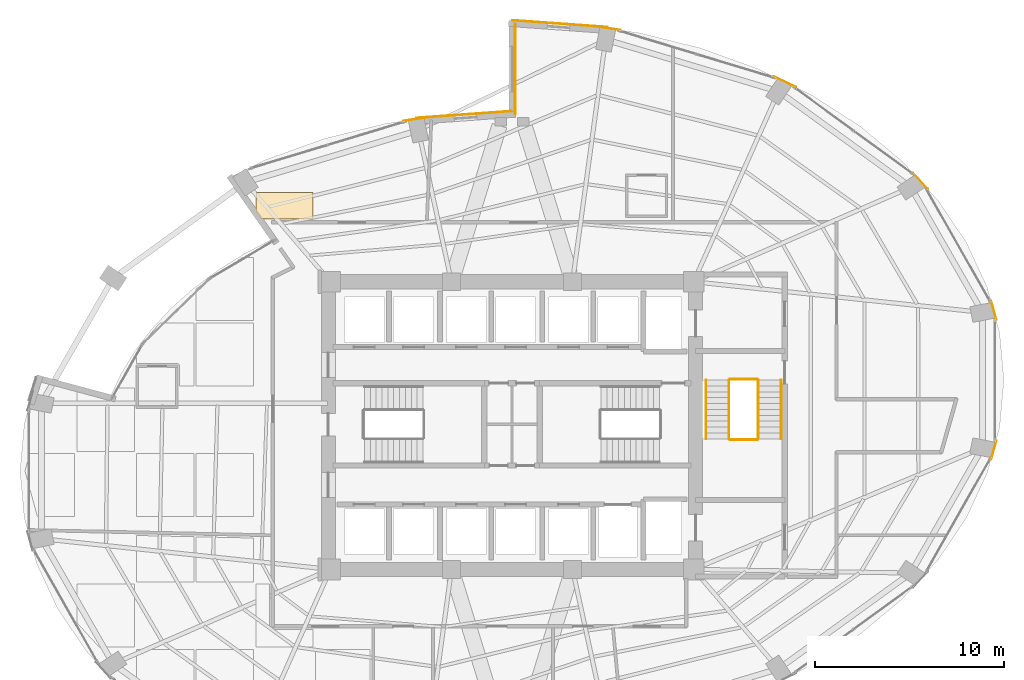
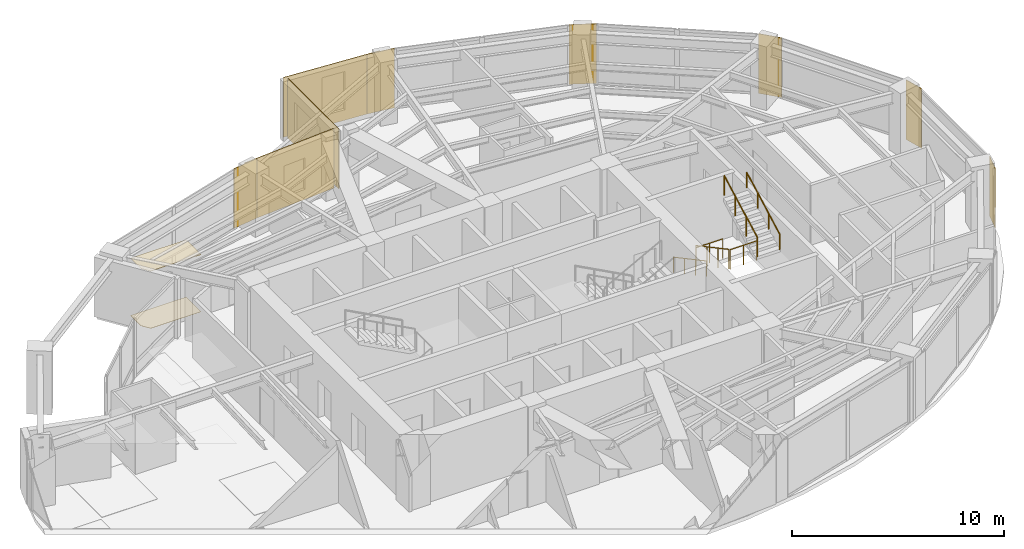
# One storey, part 24 of 24: 11 coverings, 6 railings.
"""IFC4 building model written with IfcOpenShell, lengths in metres."""

from ifc_helpers import new_model, si_unit, direction, frame, origin, origin_2d, place, context, subcontext, project, spatial, polyline, rectangle, circle, outline, extrude, material, layer, layer_set, type_object, element, save


model = new_model("IFC4")

# Units and contexts
model_context = context("Model", 3, precision=1e-05, world=origin(), true_north=direction((0.0, 1.0)))
body_context = subcontext(model_context, "Body", "Model", "MODEL_VIEW")
ifc_project = project(units=[si_unit("LENGTHUNIT", "METRE"), si_unit("AREAUNIT", "SQUARE_METRE"), si_unit("VOLUMEUNIT", "CUBIC_METRE"), si_unit("PLANEANGLEUNIT", "RADIAN"), si_unit("MASSUNIT", "GRAM", prefix="KILO")], contexts=[model_context])

# Site, building, storey
site_placement = place(None, origin())
site = spatial("IfcSite", under=ifc_project, at=site_placement, CompositionType="ELEMENT")
building_placement = place(site_placement, origin())
building = spatial("IfcBuilding", under=site, at=building_placement, Name="Lazwardi Medical Tower", CompositionType="ELEMENT")
storey_placement = place(building_placement, frame((0.0, 0.0, 114.575927734375)))
storey = spatial("IfcBuildingStorey", under=building, at=storey_placement, Name="L29", CompositionType="ELEMENT", Elevation=114.575927734375)

# Coverings
ifc_material_1 = material(Name="Anodised bronze aluminium cassette cladding", Category="aluminium")
ifc_layer_1 = layer(ifc_material_1, 0.030029296875)
ifc_layer_set_1 = layer_set([ifc_layer_1], Name="Anodised bronze aluminium cassette cladding")
covering_type_1 = type_object("IfcCoveringType", Name="COV-CLD-BRZ", PredefinedType="CLADDING", material=ifc_layer_set_1)
for number, where, z_axis, x_axis, name in (
    (1, (61.459716796875, 26.700927734375, 0.0), (0.0, 0.0, 1.0), (0.262696108164, 0.964878621774, 0.0), "L29 Mega-column bronze cassette cover M04"),
    (2, (61.459716796875, 34.09912109375, 0.0), (0.0, 0.0, 1.0), (-0.262696108164, 0.964878621774, 0.0), "L29 Mega-column bronze cassette cover M05"),
):
    element("IfcCovering", number, at=place(storey_placement, frame(where, z_axis=z_axis, x_axis=x_axis)), inside=storey, type_object=covering_type_1, Name=name, PredefinedType="CLADDING", context=body_context, shape_type="SweptSolid", body=[
        extrude(rectangle(XDim=1.04296875, YDim=0.030029296875, at=origin_2d()), origin(), (0.0, 0.0, 1.0), 3.427978515625),
    ])
covering_1_placement = place(storey_placement, frame((57.583740234375, 40.93408203125, 0.0), z_axis=(0.0, 0.0, 1.0), x_axis=(-0.674925949214, 0.737885467453, 0.0)))
element("IfcCovering", 3, at=covering_1_placement, inside=storey, type_object=covering_type_1, Name="L29 Mega-column bronze cassette cover M06", PredefinedType="CLADDING", context=body_context, shape_type="SweptSolid", body=[
    extrude(rectangle(XDim=1.15625, YDim=0.030029296875, at=origin_2d()), origin(), (0.0, 0.0, 1.0), 3.427978515625),
])
covering_2_placement = place(storey_placement, frame((50.421875, 46.16552734375, 0.0), z_axis=(0.0, 0.0, 1.0), x_axis=(-0.898679250201, 0.438606435495, 0.0)))
element("IfcCovering", 4, at=covering_2_placement, inside=storey, type_object=covering_type_1, Name="L29 Mega-column bronze cassette cover M07", PredefinedType="CLADDING", context=body_context, shape_type="SweptSolid", body=[
    extrude(rectangle(XDim=1.2998046875, YDim=0.030029296875, at=origin_2d()), origin(), (0.0, 0.0, 1.0), 3.427978515625),
])
for number, where, z_axis, x_axis, name in (
    (5, (41.064208984375, 48.99658203125, 0.0), (0.0, 0.0, 1.0), (-0.989609019093, 0.143784523955, 0.0), "L29 Mega-column bronze cassette cover M08"),
    (6, (30.935791015625, 44.19677734375, 0.0), (0.0, 0.0, 1.0), (-0.989609019093, -0.143784523955, 0.0), "L29 Mega-column bronze cassette cover M09"),
):
    element("IfcCovering", number, at=place(storey_placement, frame(where, z_axis=z_axis, x_axis=x_axis)), inside=storey, type_object=covering_type_1, Name=name, PredefinedType="CLADDING", context=body_context, shape_type="SweptSolid", body=[
        extrude(rectangle(XDim=1.392333984375, YDim=0.030029296875, at=origin_2d()), origin(), (0.0, 0.0, 1.0), 3.427978515625),
    ])
ifc_material_2 = material(Name="Turquoise glazed ceramic tilework cladding", Category="masonry")
ifc_layer_2 = layer(ifc_material_2, 0.034912109375)
ifc_layer_set_2 = layer_set([ifc_layer_2], Name="Turquoise glazed ceramic tilework cladding")
covering_type_2 = type_object("IfcCoveringType", Name="COV-CLD-TRQ", PredefinedType="CLADDING", material=ifc_layer_set_2)
covering_3_placement = place(storey_placement, frame((38.533203125, 49.23388671875, 0.0), z_axis=(0.0, 0.0, 1.0), x_axis=(-0.997431665415, 0.07162452672, 0.0)))
element("IfcCovering", 7, at=covering_3_placement, inside=storey, type_object=covering_type_2, Name="L29 Turquoise glazed ceramic tilework cladding", PredefinedType="CLADDING", context=body_context, shape_type="SweptSolid", body=[
    extrude(rectangle(XDim=5.05419921875, YDim=0.034912109375, at=origin_2d()), origin(), (0.0, 0.0, 1.0), 3.427978515625),
])
covering_4_placement = place(storey_placement, frame((33.466552734375, 44.43408203125, 0.0), z_axis=(0.0, 0.0, 1.0), x_axis=(-0.997431165357, -0.071631490105, 0.0)))
element("IfcCovering", 8, at=covering_4_placement, inside=storey, type_object=covering_type_2, Name="L29 Turquoise glazed ceramic tilework cladding", PredefinedType="CLADDING", context=body_context, shape_type="SweptSolid", body=[
    extrude(rectangle(XDim=5.0537109375, YDim=0.034912109375, at=origin_2d()), origin(), (0.0, 0.0, 1.0), 3.427978515625),
])
covering_5_placement = place(storey_placement, frame((36.175537109375, 46.840087890625, 0.0), z_axis=(0.0, 0.0, 1.0), x_axis=(0.0, -1.0, 0.0)))
element("IfcCovering", 9, at=covering_5_placement, inside=storey, type_object=covering_type_2, Name="L29 Turquoise glazed ceramic tilework iwan panel", PredefinedType="CLADDING", context=body_context, shape_type="SweptSolid", body=[
    extrude(rectangle(XDim=4.800048828125, YDim=0.034912109375, at=origin_2d()), origin(), (0.0, 0.0, 1.0), 3.427978515625),
])
ifc_material_3 = material(Name="Acoustic mineral fibre tile")
ifc_layer_3 = layer(ifc_material_3, 0.02490234375)
ifc_layer_set_3 = layer_set([ifc_layer_3], Name="Acoustic mineral fibre tile")
covering_type_3 = type_object("IfcCoveringType", Name="COV-CLG-01", PredefinedType="CEILING", material=ifc_layer_set_3)
covering_6_placement = place(storey_placement, frame((0.0, 0.0, 3.282958984375)))
element("IfcCovering", 10, at=covering_6_placement, inside=storey, type_object=covering_type_3, Name="L29 Clinical Acoustic Ceiling 9", PredefinedType="CEILING", context=body_context, shape_type="SweptSolid", body=[
    extrude(outline(polyline([(22.462890625, 39.33837890625), (22.753662109375, 38.92333984375), (22.755859375, 38.923583984375), (22.763671875, 38.92431640625), (22.77294921875, 38.9248046875), (22.777099609375, 38.925048828125), (25.492919921875, 38.925048828125), (25.492919921875, 40.322509765625), (22.462890625, 40.322509765625), (22.462890625, 39.33837890625)])), origin(), (0.0, 0.0, 1.0), 0.025146484375),
])
ifc_material_4 = material(Name="Anti-static hospital vinyl sheet flooring")
ifc_layer_4 = layer(ifc_material_4, 0.014892578125)
ifc_layer_set_4 = layer_set([ifc_layer_4], Name="Anti-static hospital vinyl sheet flooring")
covering_type_4 = type_object("IfcCoveringType", Name="COV-FLR-01", PredefinedType="FLOORING", material=ifc_layer_set_4)
covering_7_placement = place(storey_placement, origin())
element("IfcCovering", 11, at=covering_7_placement, inside=storey, type_object=covering_type_4, Name="L29 Clinical Vinyl Flooring 10", PredefinedType="FLOORING", context=body_context, shape_type="SweptSolid", body=[
    extrude(outline(polyline([(22.462890625, 39.33837890625), (22.753662109375, 38.92333984375), (22.755859375, 38.923583984375), (22.763671875, 38.92431640625), (22.77294921875, 38.9248046875), (22.777099609375, 38.925048828125), (25.492919921875, 38.925048828125), (25.492919921875, 40.322509765625), (22.462890625, 40.322509765625), (22.462890625, 39.33837890625)])), origin(), (0.0, 0.0, 1.0), 0.01513671875),
])

# Railings
ifc_material_5 = material(Name="Stainless steel Grade 316", Category="steel")
railing_type_1 = type_object("IfcRailingType", Name="RLG-GRD-1150", PredefinedType="GUARDRAIL", material=ifc_material_5)
railing_1_placement = place(storey_placement, frame((47.469970703125, 30.39990234375, 0.165771484375)))
element("IfcRailing", 12, at=railing_1_placement, inside=storey, type_object=railing_type_1, Name="L29 ST3 stair guard 1", PredefinedType="GUARDRAIL", context=body_context, shape_type="SweptSolid", body=[
    extrude(circle(Radius=0.02392578125, at=origin_2d()), frame((0.0, 0.0, 1.1259765625), z_axis=(0.0, -0.881767849116, 0.471683644262), x_axis=(1.0, 0.0, 0.0)), (0.0, 0.0, 1.0), 3.515380859375),
    extrude(circle(Radius=0.02099609375, at=origin_2d()), origin(), (0.0, 0.0, 1.0), 1.099853515625),
    extrude(circle(Radius=0.02099609375, at=origin_2d()), frame((0.0, -1.033203125, 0.552734375)), (0.0, 0.0, 1.0), 1.099853515625),
    extrude(circle(Radius=0.02099609375, at=origin_2d()), frame((0.0, -2.066650390625, 1.10546875)), (0.0, 0.0, 1.0), 1.099853515625),
    extrude(circle(Radius=0.02099609375, at=origin_2d()), frame((0.0, -3.099853515625, 1.658203125)), (0.0, 0.0, 1.0), 1.099853515625),
])
railing_2_placement = place(storey_placement, frame((47.52001953125, 27.25, 1.823974609375)))
element("IfcRailing", 13, at=railing_2_placement, inside=storey, type_object=railing_type_1, Name="L29 ST3 stair guard 2", PredefinedType="GUARDRAIL", context=body_context, shape_type="SweptSolid", body=[
    extrude(circle(Radius=0.02392578125, at=origin_2d()), frame((0.0, 0.0, 1.1259765625), z_axis=(1.0, 0.0, 0.0), x_axis=(0.0, 1.0, 0.0)), (0.0, 0.0, 1.0), 1.43994140625),
    extrude(circle(Radius=0.02099609375, at=origin_2d()), origin(), (0.0, 0.0, 1.0), 1.099853515625),
    extrude(circle(Radius=0.02099609375, at=origin_2d()), frame((0.719970703125, 0.0, 0.0)), (0.0, 0.0, 1.0), 1.099853515625),
    extrude(circle(Radius=0.02099609375, at=origin_2d()), frame((1.43994140625, 0.0, 0.0)), (0.0, 0.0, 1.0), 1.099853515625),
])
railing_3_placement = place(storey_placement, frame((49.010009765625, 27.300048828125, 1.989990234375)))
element("IfcRailing", 14, at=railing_3_placement, inside=storey, type_object=railing_type_1, Name="L29 ST3 stair guard 3", PredefinedType="GUARDRAIL", context=body_context, shape_type="SweptSolid", body=[
    extrude(circle(Radius=0.02392578125, at=origin_2d()), frame((0.0, 0.0, 1.1259765625), z_axis=(0.0, 0.881767849116, 0.471683644262), x_axis=(-1.0, 0.0, 0.0)), (0.0, 0.0, 1.0), 3.515380859375),
    extrude(circle(Radius=0.02099609375, at=origin_2d()), origin(), (0.0, 0.0, 1.0), 1.099853515625),
    extrude(circle(Radius=0.02099609375, at=origin_2d()), frame((0.0, 1.033203125, 0.552734375)), (0.0, 0.0, 1.0), 1.099853515625),
    extrude(circle(Radius=0.02099609375, at=origin_2d()), frame((0.0, 2.066650390625, 1.10546875)), (0.0, 0.0, 1.0), 1.099853515625),
    extrude(circle(Radius=0.02099609375, at=origin_2d()), frame((0.0, 3.099853515625, 1.658203125)), (0.0, 0.0, 1.0), 1.099853515625),
])
railing_4_placement = place(storey_placement, frame((47.52001953125, 30.449951171875, 0.0)))
element("IfcRailing", 15, at=railing_4_placement, inside=storey, type_object=railing_type_1, Name="L29 ST3 stair guard 4", PredefinedType="GUARDRAIL", context=body_context, shape_type="SweptSolid", body=[
    extrude(circle(Radius=0.02392578125, at=origin_2d()), frame((0.0, 0.0, 1.1259765625), z_axis=(1.0, 0.0, 0.0), x_axis=(0.0, 1.0, 0.0)), (0.0, 0.0, 1.0), 1.43994140625),
    extrude(circle(Radius=0.02099609375, at=origin_2d()), origin(), (0.0, 0.0, 1.0), 1.099853515625),
    extrude(circle(Radius=0.02099609375, at=origin_2d()), frame((0.719970703125, 0.0, 0.0)), (0.0, 0.0, 1.0), 1.099853515625),
    extrude(circle(Radius=0.02099609375, at=origin_2d()), frame((1.43994140625, 0.0, 0.0)), (0.0, 0.0, 1.0), 1.099853515625),
])
railing_type_2 = type_object("IfcRailingType", Name="RLG-HND-920", PredefinedType="HANDRAIL", material=ifc_material_5)
railing_5_placement = place(storey_placement, frame((46.25, 30.39990234375, 0.165771484375)))
element("IfcRailing", 16, at=railing_5_placement, inside=storey, type_object=railing_type_2, Name="L29 ST3 stair handrail 1", PredefinedType="HANDRAIL", context=body_context, shape_type="SweptSolid", body=[
    extrude(circle(Radius=0.02392578125, at=origin_2d()), frame((0.0, 0.0, 0.8857421875), z_axis=(0.0, -0.881767849116, 0.471683644262), x_axis=(1.0, 0.0, 0.0)), (0.0, 0.0, 1.0), 3.515380859375),
    extrude(circle(Radius=0.02099609375, at=origin_2d()), origin(), (0.0, 0.0, 1.0), 0.85986328125),
    extrude(circle(Radius=0.02099609375, at=origin_2d()), frame((0.0, -1.033203125, 0.552734375)), (0.0, 0.0, 1.0), 0.85986328125),
    extrude(circle(Radius=0.02099609375, at=origin_2d()), frame((0.0, -2.066650390625, 1.10546875)), (0.0, 0.0, 1.0), 0.85986328125),
    extrude(circle(Radius=0.02099609375, at=origin_2d()), frame((0.0, -3.099853515625, 1.658203125)), (0.0, 0.0, 1.0), 0.85986328125),
])
railing_6_placement = place(storey_placement, frame((50.22998046875, 27.300048828125, 1.989990234375)))
element("IfcRailing", 17, at=railing_6_placement, inside=storey, type_object=railing_type_2, Name="L29 ST3 stair handrail 2", PredefinedType="HANDRAIL", context=body_context, shape_type="SweptSolid", body=[
    extrude(circle(Radius=0.02392578125, at=origin_2d()), frame((0.0, 0.0, 0.8857421875), z_axis=(0.0, 0.881767849116, 0.471683644262), x_axis=(-1.0, 0.0, 0.0)), (0.0, 0.0, 1.0), 3.515380859375),
    extrude(circle(Radius=0.02099609375, at=origin_2d()), origin(), (0.0, 0.0, 1.0), 0.85986328125),
    extrude(circle(Radius=0.02099609375, at=origin_2d()), frame((0.0, 1.033203125, 0.552734375)), (0.0, 0.0, 1.0), 0.85986328125),
    extrude(circle(Radius=0.02099609375, at=origin_2d()), frame((0.0, 2.066650390625, 1.10546875)), (0.0, 0.0, 1.0), 0.85986328125),
    extrude(circle(Radius=0.02099609375, at=origin_2d()), frame((0.0, 3.099853515625, 1.658203125)), (0.0, 0.0, 1.0), 0.85986328125),
])

save(model, "model.ifc")
